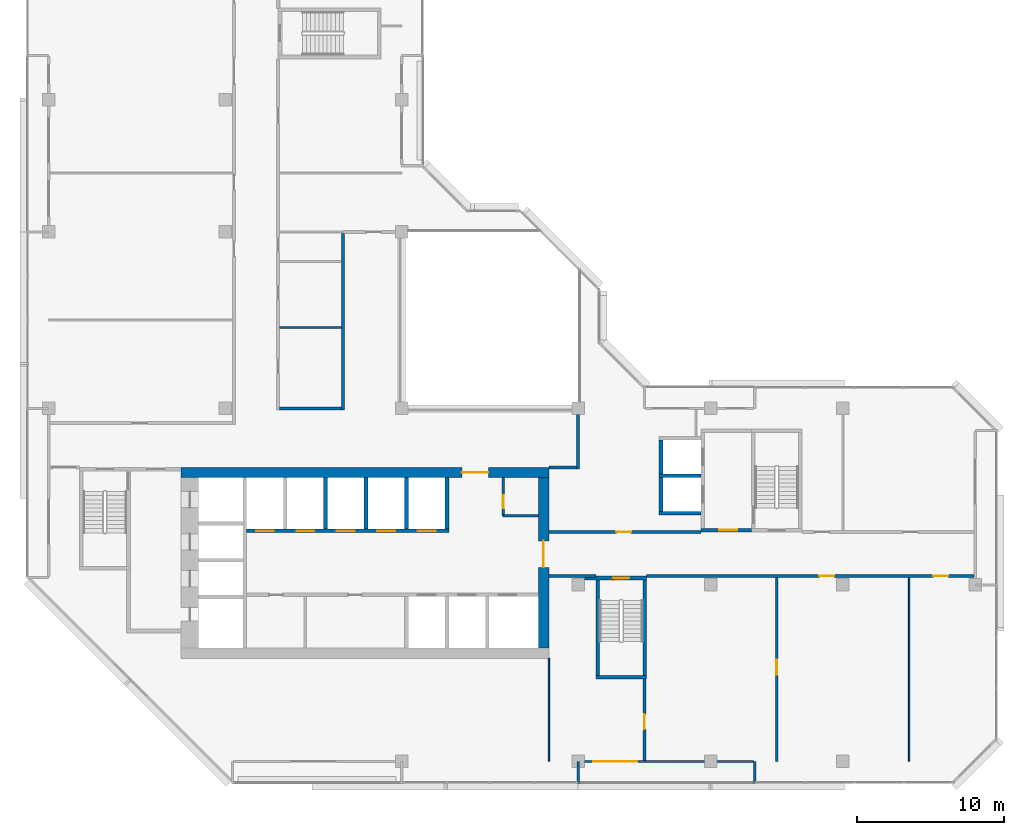
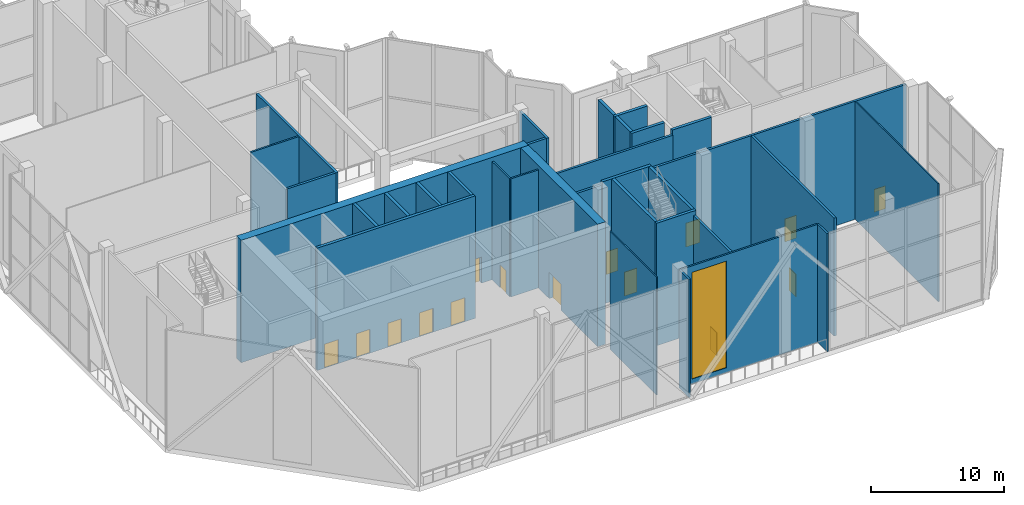
# One storey, part 11 of 18: 33 walls, 15 doors, 1 window, 16 openings.
"""IFC4 building model written with IfcOpenShell, lengths in metres."""

from ifc_helpers import new_model, si_unit, direction, frame, frame_2d, origin, place, context, subcontext, project, spatial, rectangle, extrude, material, layer, layer_set, type_object, element, fill, save


model = new_model("IFC4")

# Units and contexts
model_context = context("Model", 3, precision=1e-05, world=origin(), true_north=direction((0.0, 1.0)))
body_context = subcontext(model_context, "Body", "Model", "MODEL_VIEW")
ifc_project = project(units=[si_unit("LENGTHUNIT", "METRE"), si_unit("AREAUNIT", "SQUARE_METRE"), si_unit("VOLUMEUNIT", "CUBIC_METRE"), si_unit("PLANEANGLEUNIT", "RADIAN"), si_unit("MASSUNIT", "GRAM", prefix="KILO")], contexts=[model_context])

# Site, building, storey
site_placement = place(None, origin())
site = spatial("IfcSite", under=ifc_project, at=site_placement, CompositionType="ELEMENT")
building_placement = place(site_placement, origin())
building = spatial("IfcBuilding", under=site, at=building_placement, Name="Chenar Terraces", CompositionType="ELEMENT")
storey_placement = place(building_placement, frame((0.0, 0.0, 262.14990234375)))
storey = spatial("IfcBuildingStorey", under=building, at=storey_placement, Name="L62", CompositionType="ELEMENT", Elevation=262.14990234375)

# Wall, opening, door
ifc_material_1 = material(Name="Gypsum board on steel studs", Category="steel")
ifc_layer_1 = layer(ifc_material_1, 0.14990234375)
ifc_layer_set_1 = layer_set([ifc_layer_1], Name="Gypsum board on steel studs")
wall_type_1 = type_object("IfcWallType", Name="Core partition 150 gypsum board", PredefinedType="PARTITIONING", material=ifc_layer_set_1)
wall_1_placement = place(storey_placement, frame((30.89990234375, 16.699951171875, 0.0), z_axis=(0.0, 0.0, 1.0), x_axis=(0.0, 1.0, 0.0)))
wall_1 = element("IfcWall", 1, at=wall_1_placement, inside=storey, type_object=wall_type_1, Name="Core partition CP1 vestibule room west wall", PredefinedType="PARTITIONING", context=body_context, shape_type="SweptSolid", body=[
    extrude(rectangle(XDim=2.60009765625, YDim=0.14990234375, at=frame_2d((1.300048828125, 0.0))), origin(), (0.0, 0.0, 1.0), 10.85009765625),
])
opening_1_placement = place(wall_1_placement, frame((0.5, 0.0, 0.0)))
opening_1 = element("IfcOpeningElement", 2, at=opening_1_placement, cuts=wall_1, Name="Opening DL62-C14", PredefinedType="OPENING", context=body_context, shape_type="SweptSolid", body=[
    extrude(rectangle(XDim=0.89990234375, YDim=2.10009765625, at=frame_2d((0.449951171875, 1.050048828125))), frame((0.0, 0.0849609375, 0.0), z_axis=(0.0, -1.0, 0.0), x_axis=(1.0, 0.0, 0.0)), (0.0, 0.0, 1.0), 0.169921875),
])
ifc_material_2 = material(Name="Steel-framed fire-resisting door leaf", Category="steel")
door_type_1 = type_object("IfcDoorType", Name="Riser fire door FD60 900 x 2100", OperationType="SINGLE_SWING_LEFT", PredefinedType="DOOR", material=ifc_material_2)
door_1_placement = place(opening_1_placement, frame((0.89990234375, 0.0, 0.0), z_axis=(0.0, 0.0, 1.0), x_axis=(-1.0, 0.0, 0.0)))
door_1 = element("IfcDoor", 3, at=door_1_placement, inside=storey, type_object=door_type_1, Name="Core room door DL62-C14", OperationType="SINGLE_SWING_RIGHT", OverallHeight=2.10009765625, OverallWidth=0.89990234375, PredefinedType="DOOR", context=body_context, shape_type="SweptSolid", body=[
    extrude(rectangle(XDim=0.89990234375, YDim=2.10009765625, at=frame_2d((0.449951171875, 1.050048828125))), frame((0.0, 0.02490234375, 0.0), z_axis=(0.0, -1.0, 0.0), x_axis=(1.0, 0.0, 0.0)), (0.0, 0.0, 1.0), 0.050048828125),
])
fill(opening_1, door_1)

# Wall
wall_2_placement = place(storey_placement, frame((30.89990234375, 16.699951171875, 0.0), z_axis=(0.0, 0.0, 1.0), x_axis=(1.0, 0.0, 0.0)))
element("IfcWall", 4, at=wall_2_placement, inside=storey, type_object=wall_type_1, Name="Core partition CP1 vestibule room south wall", PredefinedType="PARTITIONING", context=body_context, shape_type="SweptSolid", body=[
    extrude(rectangle(XDim=2.400146484375, YDim=0.14990234375, at=frame_2d((1.2001953125, 0.0))), origin(), (0.0, 0.0, 1.0), 10.85009765625),
])

# Wall, openings, doors
ifc_material_3 = material(Name="Concrete C60/75", Category="concrete")
ifc_layer_2 = layer(ifc_material_3, 0.25)
ifc_layer_set_2 = layer_set([ifc_layer_2], Name="Concrete C60/75")
wall_type_2 = type_object("IfcWallType", Name="Core wall 250 Concrete C60/75", PredefinedType="SHEAR", material=ifc_layer_set_2)
wall_3_placement = place(storey_placement, frame((13.449951171875, 15.675048828125, 0.0), z_axis=(0.0, 0.0, 1.0), x_axis=(1.0, 0.0, 0.0)))
wall_3 = element("IfcWall", 5, at=wall_3_placement, inside=storey, type_object=wall_type_2, Name="Core wall NF L62", PredefinedType="SHEAR", context=body_context, shape_type="SweptSolid", body=[
    extrude(rectangle(XDim=13.75, YDim=0.25, at=frame_2d((6.875, 0.0))), origin(), (0.0, 0.0, 1.0), 11.25),
])
opening_2_placement = place(wall_3_placement, frame((11.64990234375, 0.0, 0.0)))
opening_2 = element("IfcOpeningElement", 6, at=opening_2_placement, cuts=wall_3, Name="Opening DL62-LD4", PredefinedType="OPENING", context=body_context, shape_type="SweptSolid", body=[
    extrude(rectangle(XDim=1.199951171875, YDim=2.199951171875, at=frame_2d((0.60009765625, 1.10009765625))), frame((0.0, 0.135009765625, 0.0), z_axis=(0.0, -1.0, 0.0), x_axis=(1.0, 0.0, 0.0)), (0.0, 0.0, 1.0), 0.27001953125),
])
opening_3_placement = place(wall_3_placement, frame((0.64990234375, 0.0, 0.0)))
opening_3 = element("IfcOpeningElement", 7, at=opening_3_placement, cuts=wall_3, Name="Opening DL62-LD5", PredefinedType="OPENING", context=body_context, shape_type="SweptSolid", body=[
    extrude(rectangle(XDim=1.199951171875, YDim=2.199951171875, at=frame_2d((0.60009765625, 1.10009765625))), frame((0.0, 0.135009765625, 0.0), z_axis=(0.0, -1.0, 0.0), x_axis=(1.0, 0.0, 0.0)), (0.0, 0.0, 1.0), 0.27001953125),
])
opening_4_placement = place(wall_3_placement, frame((3.39990234375, 0.0, 0.0)))
opening_4 = element("IfcOpeningElement", 8, at=opening_4_placement, cuts=wall_3, Name="Opening DL62-LD6", PredefinedType="OPENING", context=body_context, shape_type="SweptSolid", body=[
    extrude(rectangle(XDim=1.199951171875, YDim=2.199951171875, at=frame_2d((0.60009765625, 1.10009765625))), frame((0.0, 0.135009765625, 0.0), z_axis=(0.0, -1.0, 0.0), x_axis=(1.0, 0.0, 0.0)), (0.0, 0.0, 1.0), 0.27001953125),
])
opening_5_placement = place(wall_3_placement, frame((6.14990234375, 0.0, 0.0)))
opening_5 = element("IfcOpeningElement", 9, at=opening_5_placement, cuts=wall_3, Name="Opening DL62-LD7", PredefinedType="OPENING", context=body_context, shape_type="SweptSolid", body=[
    extrude(rectangle(XDim=1.199951171875, YDim=2.199951171875, at=frame_2d((0.60009765625, 1.10009765625))), frame((0.0, 0.135009765625, 0.0), z_axis=(0.0, -1.0, 0.0), x_axis=(1.0, 0.0, 0.0)), (0.0, 0.0, 1.0), 0.27001953125),
])
opening_6_placement = place(wall_3_placement, frame((8.89990234375, 0.0, 0.0)))
opening_6 = element("IfcOpeningElement", 10, at=opening_6_placement, cuts=wall_3, Name="Opening DL62-LD8", PredefinedType="OPENING", context=body_context, shape_type="SweptSolid", body=[
    extrude(rectangle(XDim=1.199951171875, YDim=2.199951171875, at=frame_2d((0.60009765625, 1.10009765625))), frame((0.0, 0.135009765625, 0.0), z_axis=(0.0, -1.0, 0.0), x_axis=(1.0, 0.0, 0.0)), (0.0, 0.0, 1.0), 0.27001953125),
])
ifc_material_4 = material(Name="Stainless steel", Category="steel")
door_type_2 = type_object("IfcDoorType", Name="Lift landing door 1200 x 2200 sliding", OperationType="DOUBLE_DOOR_SLIDING", PredefinedType="DOOR", material=ifc_material_4)
door_2_placement = place(opening_2_placement, origin())
door_2 = element("IfcDoor", 11, at=door_2_placement, inside=storey, type_object=door_type_2, Name="Landing door M4", OperationType="DOUBLE_DOOR_SLIDING", OverallHeight=2.199951171875, OverallWidth=1.199951171875, PredefinedType="DOOR", context=body_context, shape_type="SweptSolid", body=[
    extrude(rectangle(XDim=1.199951171875, YDim=2.199951171875, at=frame_2d((0.60009765625, 1.10009765625))), frame((0.0, 0.02490234375, 0.0), z_axis=(0.0, -1.0, 0.0), x_axis=(1.0, 0.0, 0.0)), (0.0, 0.0, 1.0), 0.050048828125),
])
fill(opening_2, door_2)
door_3_placement = place(opening_3_placement, origin())
door_3 = element("IfcDoor", 12, at=door_3_placement, inside=storey, type_object=door_type_2, Name="Landing door H1", OperationType="DOUBLE_DOOR_SLIDING", OverallHeight=2.199951171875, OverallWidth=1.199951171875, PredefinedType="DOOR", context=body_context, shape_type="SweptSolid", body=[
    extrude(rectangle(XDim=1.199951171875, YDim=2.199951171875, at=frame_2d((0.60009765625, 1.10009765625))), frame((0.0, 0.02490234375, 0.0), z_axis=(0.0, -1.0, 0.0), x_axis=(1.0, 0.0, 0.0)), (0.0, 0.0, 1.0), 0.050048828125),
])
fill(opening_3, door_3)
door_4_placement = place(opening_4_placement, origin())
door_4 = element("IfcDoor", 13, at=door_4_placement, inside=storey, type_object=door_type_2, Name="Landing door H2", OperationType="DOUBLE_DOOR_SLIDING", OverallHeight=2.199951171875, OverallWidth=1.199951171875, PredefinedType="DOOR", context=body_context, shape_type="SweptSolid", body=[
    extrude(rectangle(XDim=1.199951171875, YDim=2.199951171875, at=frame_2d((0.60009765625, 1.10009765625))), frame((0.0, 0.02490234375, 0.0), z_axis=(0.0, -1.0, 0.0), x_axis=(1.0, 0.0, 0.0)), (0.0, 0.0, 1.0), 0.050048828125),
])
fill(opening_4, door_4)
door_5_placement = place(opening_5_placement, origin())
door_5 = element("IfcDoor", 14, at=door_5_placement, inside=storey, type_object=door_type_2, Name="Landing door H3", OperationType="DOUBLE_DOOR_SLIDING", OverallHeight=2.199951171875, OverallWidth=1.199951171875, PredefinedType="DOOR", context=body_context, shape_type="SweptSolid", body=[
    extrude(rectangle(XDim=1.199951171875, YDim=2.199951171875, at=frame_2d((0.60009765625, 1.10009765625))), frame((0.0, 0.02490234375, 0.0), z_axis=(0.0, -1.0, 0.0), x_axis=(1.0, 0.0, 0.0)), (0.0, 0.0, 1.0), 0.050048828125),
])
fill(opening_5, door_5)
door_6_placement = place(opening_6_placement, origin())
door_6 = element("IfcDoor", 15, at=door_6_placement, inside=storey, type_object=door_type_2, Name="Landing door H4", OperationType="DOUBLE_DOOR_SLIDING", OverallHeight=2.199951171875, OverallWidth=1.199951171875, PredefinedType="DOOR", context=body_context, shape_type="SweptSolid", body=[
    extrude(rectangle(XDim=1.199951171875, YDim=2.199951171875, at=frame_2d((0.60009765625, 1.10009765625))), frame((0.0, 0.02490234375, 0.0), z_axis=(0.0, -1.0, 0.0), x_axis=(1.0, 0.0, 0.0)), (0.0, 0.0, 1.0), 0.050048828125),
])
fill(opening_6, door_6)

# Walls
for number, where, z_axis, x_axis, name in (
    (16, (18.824951171875, 15.800048828125, 0.0), (0.0, 0.0, 1.0), (0.0, 1.0, 0.0), "Core wall NS1 L62"),
    (17, (21.574951171875, 15.800048828125, 0.0), (0.0, 0.0, 1.0), (0.0, 1.0, 0.0), "Core wall NS2 L62"),
    (18, (24.324951171875, 15.800048828125, 0.0), (0.0, 0.0, 1.0), (0.0, 1.0, 0.0), "Core wall NS3 L62"),
    (19, (27.074951171875, 15.800048828125, 0.0), (0.0, 0.0, 1.0), (0.0, 1.0, 0.0), "Core wall NE L62"),
):
    element("IfcWall", number, at=place(storey_placement, frame(where, z_axis=z_axis, x_axis=x_axis)), inside=storey, type_object=wall_type_2, Name=name, PredefinedType="SHEAR", context=body_context, shape_type="SweptSolid", body=[
        extrude(rectangle(XDim=3.5, YDim=0.25, at=frame_2d((1.75, 0.0))), origin(), (0.0, 0.0, 1.0), 11.25),
    ])
wall_4_placement = place(storey_placement, frame((37.199951171875, 5.72509765625, 0.0), z_axis=(0.0, 0.0, 1.0), x_axis=(1.0, 0.0, 0.0)))
element("IfcWall", 20, at=wall_4_placement, inside=storey, type_object=wall_type_2, Name="Core wall ST2_S L62", PredefinedType="SHEAR", context=body_context, shape_type="SweptSolid", body=[
    extrude(rectangle(XDim=3.449951171875, YDim=0.25, at=frame_2d((1.72509765625, 0.0))), origin(), (0.0, 0.0, 1.0), 11.25),
])

# Wall, opening, door
wall_5_placement = place(storey_placement, frame((36.425048828125, 12.47509765625, 0.0), z_axis=(0.0, 0.0, 1.0), x_axis=(1.0, 0.0, 0.0)))
wall_5 = element("IfcWall", 21, at=wall_5_placement, inside=storey, type_object=wall_type_2, Name="Core wall ST2_N L62", PredefinedType="SHEAR", context=body_context, shape_type="SweptSolid", body=[
    extrude(rectangle(XDim=4.224853515625, YDim=0.25, at=frame_2d((2.1123046875, 0.0))), origin(), (0.0, 0.0, 1.0), 11.25),
])
opening_7_placement = place(wall_5_placement, frame((1.949951171875, 0.0, 0.0)))
opening_7 = element("IfcOpeningElement", 22, at=opening_7_placement, cuts=wall_5, Name="Opening DL62-C7", PredefinedType="OPENING", context=body_context, shape_type="SweptSolid", body=[
    extrude(rectangle(XDim=1.10009765625, YDim=2.199951171875, at=frame_2d((0.550048828125, 1.10009765625))), frame((0.0, 0.135009765625, 0.0), z_axis=(0.0, -1.0, 0.0), x_axis=(1.0, 0.0, 0.0)), (0.0, 0.0, 1.0), 0.27001953125),
])
ifc_material_5 = material(Name="Steel-framed fire-resisting door leaf", Category="steel")
door_type_3 = type_object("IfcDoorType", Name="Stair fire door FD60 1100 x 2200", OperationType="SINGLE_SWING_LEFT", PredefinedType="DOOR", material=ifc_material_5)
door_7_placement = place(opening_7_placement, frame((1.10009765625, 0.0, 0.0), z_axis=(0.0, 0.0, 1.0), x_axis=(-1.0, 0.0, 0.0)))
door_7 = element("IfcDoor", 23, at=door_7_placement, inside=storey, type_object=door_type_3, Name="Stair door DL62-C7", OperationType="SINGLE_SWING_LEFT", OverallHeight=2.199951171875, OverallWidth=1.10009765625, PredefinedType="DOOR", context=body_context, shape_type="SweptSolid", body=[
    extrude(rectangle(XDim=1.10009765625, YDim=2.199951171875, at=frame_2d((0.550048828125, 1.10009765625))), frame((0.0, 0.02490234375, 0.0), z_axis=(0.0, -1.0, 0.0), x_axis=(1.0, 0.0, 0.0)), (0.0, 0.0, 1.0), 0.050048828125),
])
fill(opening_7, door_7)

# Walls
for number, where, z_axis, x_axis, name in (
    (24, (37.324951171875, 5.85009765625, 0.0), (0.0, 0.0, 1.0), (0.0, 1.0, 0.0), "Core wall ST2_W L62"),
    (25, (40.52490234375, 5.85009765625, 0.0), (0.0, 0.0, 1.0), (0.0, 1.0, 0.0), "Core wall ST2_E L62"),
):
    element("IfcWall", number, at=place(storey_placement, frame(where, z_axis=z_axis, x_axis=x_axis)), inside=storey, type_object=wall_type_2, Name=name, PredefinedType="SHEAR", context=body_context, shape_type="SweptSolid", body=[
        extrude(rectangle(XDim=6.5, YDim=0.25, at=frame_2d((3.25, 0.0))), origin(), (0.0, 0.0, 1.0), 11.25),
    ])

# Wall, opening, door
wall_6_placement = place(storey_placement, frame((44.35009765625, 15.72509765625, 0.0), z_axis=(0.0, 0.0, 1.0), x_axis=(1.0, 0.0, 0.0)))
wall_6 = element("IfcWall", 26, at=wall_6_placement, inside=storey, type_object=wall_type_2, Name="Core wall F3_LS L62", PredefinedType="SHEAR", context=body_context, shape_type="SweptSolid", body=[
    extrude(rectangle(XDim=3.4248046875, YDim=0.25, at=frame_2d((1.71240234375, 0.0))), origin(), (0.0, 0.0, 1.0), 11.25),
])
opening_8_placement = place(wall_6_placement, frame((1.25, 0.0, 0.0)))
opening_8 = element("IfcOpeningElement", 27, at=opening_8_placement, cuts=wall_6, Name="Opening DL62-C10", PredefinedType="OPENING", context=body_context, shape_type="SweptSolid", body=[
    extrude(rectangle(XDim=1.199951171875, YDim=2.199951171875, at=frame_2d((0.60009765625, 1.10009765625))), frame((0.0, 0.135009765625, 0.0), z_axis=(0.0, -1.0, 0.0), x_axis=(1.0, 0.0, 0.0)), (0.0, 0.0, 1.0), 0.27001953125),
])
ifc_material_6 = material(Name="Steel-framed fire-resisting door leaf", Category="steel")
door_type_4 = type_object("IfcDoorType", Name="Lobby fire door FD60 1200 x 2200", OperationType="SINGLE_SWING_LEFT", PredefinedType="DOOR", material=ifc_material_6)
door_8_placement = place(opening_8_placement, origin())
door_8 = element("IfcDoor", 28, at=door_8_placement, inside=storey, type_object=door_type_4, Name="Core door DL62-C10", OperationType="SINGLE_SWING_RIGHT", OverallHeight=2.199951171875, OverallWidth=1.199951171875, PredefinedType="DOOR", context=body_context, shape_type="SweptSolid", body=[
    extrude(rectangle(XDim=1.199951171875, YDim=2.199951171875, at=frame_2d((0.60009765625, 1.10009765625))), frame((0.0, 0.02490234375, 0.0), z_axis=(0.0, -1.0, 0.0), x_axis=(1.0, 0.0, 0.0)), (0.0, 0.0, 1.0), 0.050048828125),
])
fill(opening_8, door_8)

# Walls
for number, where, z_axis, x_axis, name in (
    (29, (41.5, 16.875, 0.0), (0.0, 0.0, 1.0), (1.0, 0.0, 0.0), "Core wall F3_SS L62"),
    (30, (41.5, 19.425048828125, 0.0), (0.0, 0.0, 1.0), (1.0, 0.0, 0.0), "Core wall F3_SM L62"),
):
    element("IfcWall", number, at=place(storey_placement, frame(where, z_axis=z_axis, x_axis=x_axis)), inside=storey, type_object=wall_type_2, Name=name, PredefinedType="SHEAR", context=body_context, shape_type="SweptSolid", body=[
        extrude(rectangle(XDim=2.85009765625, YDim=0.25, at=frame_2d((1.425048828125, 0.0))), origin(), (0.0, 0.0, 1.0), 11.25),
    ])
for number, where, z_axis, x_axis, name in (
    (31, (41.625, 17.0, 0.0), (0.0, 0.0, 1.0), (0.0, 1.0, 0.0), "Core wall F3_SW L62"),
    (32, (41.625, 19.550048828125, 0.0), (0.0, 0.0, 1.0), (0.0, 1.0, 0.0), "Core wall F4_SW L62"),
):
    element("IfcWall", number, at=place(storey_placement, frame(where, z_axis=z_axis, x_axis=x_axis)), inside=storey, type_object=wall_type_2, Name=name, PredefinedType="SHEAR", context=body_context, shape_type="SweptSolid", body=[
        extrude(rectangle(XDim=2.300048828125, YDim=0.25, at=frame_2d((1.14990234375, 0.0))), origin(), (0.0, 0.0, 1.0), 11.25),
    ])

# Wall, opening, door
ifc_material_7 = material(Name="Concrete C60/75", Category="concrete")
ifc_layer_3 = layer(ifc_material_7, 0.699951171875)
ifc_layer_set_3 = layer_set([ifc_layer_3], Name="Concrete C60/75")
wall_type_3 = type_object("IfcWallType", Name="Core wall 700 Concrete C60/75", PredefinedType="SHEAR", material=ifc_layer_set_3)
wall_7_placement = place(storey_placement, frame((9.0, 19.64990234375, 0.0), z_axis=(0.0, 0.0, 1.0), x_axis=(1.0, 0.0, 0.0)))
wall_7 = element("IfcWall", 33, at=wall_7_placement, inside=storey, type_object=wall_type_3, Name="Core wall N L62", PredefinedType="SHEAR", context=body_context, shape_type="SweptSolid", body=[
    extrude(rectangle(XDim=25.0, YDim=0.699951171875, at=frame_2d((12.5, 0.0))), origin(), (0.0, 0.0, 1.0), 11.25),
])
opening_9_placement = place(wall_7_placement, frame((19.10009765625, 0.0, 0.0)))
opening_9 = element("IfcOpeningElement", 34, at=opening_9_placement, cuts=wall_7, Name="Opening DL62-C2", PredefinedType="OPENING", context=body_context, shape_type="SweptSolid", body=[
    extrude(rectangle(XDim=1.800048828125, YDim=2.39990234375, at=frame_2d((0.89990234375, 1.199951171875))), frame((0.0, 0.35986328125, 0.0), z_axis=(0.0, -1.0, 0.0), x_axis=(1.0, 0.0, 0.0)), (0.0, 0.0, 1.0), 0.719970703125),
])
ifc_material_8 = material(Name="Steel-framed fire-resisting door leaf", Category="steel")
door_type_5 = type_object("IfcDoorType", Name="Core entrance double fire door FD60 1800 x 2400", OperationType="DOUBLE_DOOR_SINGLE_SWING", PredefinedType="DOOR", material=ifc_material_8)
door_9_placement = place(opening_9_placement, frame((1.800048828125, 0.0, 0.0), z_axis=(0.0, 0.0, 1.0), x_axis=(-1.0, 0.0, 0.0)))
door_9 = element("IfcDoor", 35, at=door_9_placement, inside=storey, type_object=door_type_5, Name="Core door DL62-C2", OperationType="DOUBLE_DOOR_SINGLE_SWING", OverallHeight=2.39990234375, OverallWidth=1.800048828125, PredefinedType="DOOR", context=body_context, shape_type="SweptSolid", body=[
    extrude(rectangle(XDim=1.800048828125, YDim=2.39990234375, at=frame_2d((0.89990234375, 1.199951171875))), frame((0.0, 0.02490234375, 0.0), z_axis=(0.0, -1.0, 0.0), x_axis=(1.0, 0.0, 0.0)), (0.0, 0.0, 1.0), 0.050048828125),
])
fill(opening_9, door_9)

wall_8_placement = place(storey_placement, frame((33.64990234375, 7.699951171875, 0.0), z_axis=(0.0, 0.0, 1.0), x_axis=(0.0, 1.0, 0.0)))
wall_8 = element("IfcWall", 36, at=wall_8_placement, inside=storey, type_object=wall_type_3, Name="Core wall E L62", PredefinedType="SHEAR", context=body_context, shape_type="SweptSolid", body=[
    extrude(rectangle(XDim=11.60009765625, YDim=0.699951171875, at=frame_2d((5.800048828125, 0.0))), origin(), (0.0, 0.0, 1.0), 11.25),
])
opening_10_placement = place(wall_8_placement, frame((5.5, 0.0, 0.0)))
opening_10 = element("IfcOpeningElement", 37, at=opening_10_placement, cuts=wall_8, Name="Opening DL62-C1", PredefinedType="OPENING", context=body_context, shape_type="SweptSolid", body=[
    extrude(rectangle(XDim=1.800048828125, YDim=2.39990234375, at=frame_2d((0.89990234375, 1.199951171875))), frame((0.0, 0.35986328125, 0.0), z_axis=(0.0, -1.0, 0.0), x_axis=(1.0, 0.0, 0.0)), (0.0, 0.0, 1.0), 0.719970703125),
])
door_10_placement = place(opening_10_placement, origin())
door_10 = element("IfcDoor", 38, at=door_10_placement, inside=storey, type_object=door_type_5, Name="Core door DL62-C1", OperationType="DOUBLE_DOOR_SINGLE_SWING", OverallHeight=2.39990234375, OverallWidth=1.800048828125, PredefinedType="DOOR", context=body_context, shape_type="SweptSolid", body=[
    extrude(rectangle(XDim=1.800048828125, YDim=2.39990234375, at=frame_2d((0.89990234375, 1.199951171875))), frame((0.0, 0.02490234375, 0.0), z_axis=(0.0, -1.0, 0.0), x_axis=(1.0, 0.0, 0.0)), (0.0, 0.0, 1.0), 0.050048828125),
])
fill(opening_10, door_10)

# Walls
ifc_material_9 = material(Name="Gypsum board on steel studs with fire boards", Category="steel")
ifc_layer_4 = layer(ifc_material_9, 0.199951171875)
ifc_layer_set_4 = layer_set([ifc_layer_4], Name="Gypsum board on steel studs with fire boards")
wall_type_4 = type_object("IfcWallType", Name="Corridor wall 200", PredefinedType="PARTITIONING", material=ifc_layer_set_4)
wall_9_placement = place(storey_placement, frame((15.699951171875, 24.0, 0.0), z_axis=(0.0, 0.0, 1.0), x_axis=(1.0, 0.0, 0.0)))
element("IfcWall", 39, at=wall_9_placement, inside=storey, type_object=wall_type_4, Name="Partition L62-008", PredefinedType="PARTITIONING", context=body_context, shape_type="SweptSolid", body=[
    extrude(rectangle(XDim=4.199951171875, YDim=0.199951171875, at=frame_2d((2.10009765625, 0.0))), origin(), (0.0, 0.0, 1.0), 10.85009765625),
])
wall_10_placement = place(storey_placement, frame((20.0, 23.89990234375, 0.0), z_axis=(0.0, 0.0, 1.0), x_axis=(0.0, 1.0, 0.0)))
element("IfcWall", 40, at=wall_10_placement, inside=storey, type_object=wall_type_4, Name="Partition L62-013", PredefinedType="PARTITIONING", context=body_context, shape_type="SweptSolid", body=[
    extrude(rectangle(XDim=12.0, YDim=0.199951171875, at=frame_2d((6.0, 0.0))), origin(), (0.0, 0.0, 1.0), 10.85009765625),
])
wall_11_placement = place(storey_placement, frame((34.0, 12.60009765625, 0.0), z_axis=(0.0, 0.0, 1.0), x_axis=(1.0, 0.0, 0.0)))
element("IfcWall", 41, at=wall_11_placement, inside=storey, type_object=wall_type_4, Name="Partition L62-017", PredefinedType="PARTITIONING", context=body_context, shape_type="SweptSolid", body=[
    extrude(rectangle(XDim=3.199951171875, YDim=0.199951171875, at=frame_2d((1.60009765625, 0.0))), origin(), (0.0, 0.0, 1.0), 10.85009765625),
])

# Wall, opening, door
wall_12_placement = place(storey_placement, frame((34.0, 15.60009765625, 0.0), z_axis=(0.0, 0.0, 1.0), x_axis=(1.0, 0.0, 0.0)))
wall_12 = element("IfcWall", 42, at=wall_12_placement, inside=storey, type_object=wall_type_4, Name="Partition L62-018", PredefinedType="PARTITIONING", context=body_context, shape_type="SweptSolid", body=[
    extrude(rectangle(XDim=10.35009765625, YDim=0.199951171875, at=frame_2d((5.175048828125, 0.0))), origin(), (0.0, 0.0, 1.0), 10.85009765625),
])
opening_11_placement = place(wall_12_placement, frame((4.60009765625, 0.0, 0.0)))
opening_11 = element("IfcOpeningElement", 43, at=opening_11_placement, cuts=wall_12, Name="Opening DL62-1", PredefinedType="OPENING", context=body_context, shape_type="SweptSolid", body=[
    extrude(rectangle(XDim=1.0, YDim=2.10009765625, at=frame_2d((0.5, 1.050048828125))), frame((0.0, 0.10986328125, 0.0), z_axis=(0.0, -1.0, 0.0), x_axis=(1.0, 0.0, 0.0)), (0.0, 0.0, 1.0), 0.219970703125),
])
ifc_material_10 = material(Name="Steel-framed fire-resisting door leaf", Category="steel")
door_type_6 = type_object("IfcDoorType", Name="Fire door FD60 1000 x 2100", OperationType="SINGLE_SWING_LEFT", PredefinedType="DOOR", material=ifc_material_10)
door_11_placement = place(opening_11_placement, origin())
door_11 = element("IfcDoor", 44, at=door_11_placement, inside=storey, type_object=door_type_6, Name="Door DL62-1", OperationType="SINGLE_SWING_RIGHT", OverallHeight=2.10009765625, OverallWidth=1.0, PredefinedType="DOOR", context=body_context, shape_type="SweptSolid", body=[
    extrude(rectangle(XDim=1.0, YDim=2.10009765625, at=frame_2d((0.5, 1.050048828125))), frame((0.0, 0.02490234375, 0.0), z_axis=(0.0, -1.0, 0.0), x_axis=(1.0, 0.0, 0.0)), (0.0, 0.0, 1.0), 0.050048828125),
])
fill(opening_11, door_11)

# Walls
wall_13_placement = place(storey_placement, frame((34.0, 20.0, 0.0), z_axis=(0.0, 0.0, 1.0), x_axis=(1.0, 0.0, 0.0)))
element("IfcWall", 45, at=wall_13_placement, inside=storey, type_object=wall_type_4, Name="Partition L62-019", PredefinedType="PARTITIONING", context=body_context, shape_type="SweptSolid", body=[
    extrude(rectangle(XDim=1.89990234375, YDim=0.199951171875, at=frame_2d((0.949951171875, 0.0))), origin(), (0.0, 0.0, 1.0), 10.85009765625),
])
wall_14_placement = place(storey_placement, frame((36.0, 19.89990234375, 0.0), z_axis=(0.0, 0.0, 1.0), x_axis=(0.0, 1.0, 0.0)))
element("IfcWall", 46, at=wall_14_placement, inside=storey, type_object=wall_type_4, Name="Partition L62-020", PredefinedType="PARTITIONING", context=body_context, shape_type="SweptSolid", body=[
    extrude(rectangle(XDim=4.10009765625, YDim=0.199951171875, at=frame_2d((2.050048828125, 0.0))), origin(), (0.0, 0.0, 1.0), 10.85009765625),
])

# Wall, opening, door
wall_15_placement = place(storey_placement, frame((40.5, 0.073974609375, 0.0), z_axis=(0.0, 0.0, 1.0), x_axis=(0.0, 1.0, 0.0)))
wall_15 = element("IfcWall", 47, at=wall_15_placement, inside=storey, type_object=wall_type_4, Name="Partition L62-021", PredefinedType="PARTITIONING", context=body_context, shape_type="SweptSolid", body=[
    extrude(rectangle(XDim=5.526123046875, YDim=0.199951171875, at=frame_2d((2.76318359375, 0.0))), origin(), (0.0, 0.0, 1.0), 10.85009765625),
])
opening_12_placement = place(wall_15_placement, frame((2.1259765625, 0.0, 0.0)))
opening_12 = element("IfcOpeningElement", 48, at=opening_12_placement, cuts=wall_15, Name="Opening DL62-4", PredefinedType="OPENING", context=body_context, shape_type="SweptSolid", body=[
    extrude(rectangle(XDim=1.0, YDim=2.10009765625, at=frame_2d((0.5, 1.050048828125))), frame((0.0, 0.10986328125, 0.0), z_axis=(0.0, -1.0, 0.0), x_axis=(1.0, 0.0, 0.0)), (0.0, 0.0, 1.0), 0.219970703125),
])
door_12_placement = place(opening_12_placement, origin())
door_12 = element("IfcDoor", 49, at=door_12_placement, inside=storey, type_object=door_type_6, Name="Door DL62-4", OperationType="SINGLE_SWING_LEFT", OverallHeight=2.10009765625, OverallWidth=1.0, PredefinedType="DOOR", context=body_context, shape_type="SweptSolid", body=[
    extrude(rectangle(XDim=1.0, YDim=2.10009765625, at=frame_2d((0.5, 1.050048828125))), frame((0.0, 0.02490234375, 0.0), z_axis=(0.0, -1.0, 0.0), x_axis=(1.0, 0.0, 0.0)), (0.0, 0.0, 1.0), 0.050048828125),
])
fill(opening_12, door_12)

# Wall, openings, doors
wall_16_placement = place(storey_placement, frame((40.64990234375, 12.60009765625, 0.0), z_axis=(0.0, 0.0, 1.0), x_axis=(1.0, 0.0, 0.0)))
wall_16 = element("IfcWall", 50, at=wall_16_placement, inside=storey, type_object=wall_type_4, Name="Partition L62-022", PredefinedType="PARTITIONING", context=body_context, shape_type="SweptSolid", body=[
    extrude(rectangle(XDim=22.276123046875, YDim=0.199951171875, at=frame_2d((11.13818359375, 0.0))), origin(), (0.0, 0.0, 1.0), 10.85009765625),
])
opening_13_placement = place(wall_16_placement, frame((11.75, 0.0, 0.0)))
opening_13 = element("IfcOpeningElement", 51, at=opening_13_placement, cuts=wall_16, Name="Opening DL62-6", PredefinedType="OPENING", context=body_context, shape_type="SweptSolid", body=[
    extrude(rectangle(XDim=1.0, YDim=2.10009765625, at=frame_2d((0.5, 1.050048828125))), frame((0.0, 0.10986328125, 0.0), z_axis=(0.0, -1.0, 0.0), x_axis=(1.0, 0.0, 0.0)), (0.0, 0.0, 1.0), 0.219970703125),
])
opening_14_placement = place(wall_16_placement, frame((19.5, 0.0, 0.0)))
opening_14 = element("IfcOpeningElement", 52, at=opening_14_placement, cuts=wall_16, Name="Opening DL62-7", PredefinedType="OPENING", context=body_context, shape_type="SweptSolid", body=[
    extrude(rectangle(XDim=1.0, YDim=2.10009765625, at=frame_2d((0.5, 1.050048828125))), frame((0.0, 0.10986328125, 0.0), z_axis=(0.0, -1.0, 0.0), x_axis=(1.0, 0.0, 0.0)), (0.0, 0.0, 1.0), 0.219970703125),
])
door_13_placement = place(opening_13_placement, frame((1.0, 0.0, 0.0), z_axis=(0.0, 0.0, 1.0), x_axis=(-1.0, 0.0, 0.0)))
door_13 = element("IfcDoor", 53, at=door_13_placement, inside=storey, type_object=door_type_6, Name="Door DL62-6", OperationType="SINGLE_SWING_LEFT", OverallHeight=2.10009765625, OverallWidth=1.0, PredefinedType="DOOR", context=body_context, shape_type="SweptSolid", body=[
    extrude(rectangle(XDim=1.0, YDim=2.10009765625, at=frame_2d((0.5, 1.050048828125))), frame((0.0, 0.02490234375, 0.0), z_axis=(0.0, -1.0, 0.0), x_axis=(1.0, 0.0, 0.0)), (0.0, 0.0, 1.0), 0.050048828125),
])
fill(opening_13, door_13)
door_14_placement = place(opening_14_placement, frame((1.0, 0.0, 0.0), z_axis=(0.0, 0.0, 1.0), x_axis=(-1.0, 0.0, 0.0)))
door_14 = element("IfcDoor", 54, at=door_14_placement, inside=storey, type_object=door_type_6, Name="Door DL62-7", OperationType="SINGLE_SWING_RIGHT", OverallHeight=2.10009765625, OverallWidth=1.0, PredefinedType="DOOR", context=body_context, shape_type="SweptSolid", body=[
    extrude(rectangle(XDim=1.0, YDim=2.10009765625, at=frame_2d((0.5, 1.050048828125))), frame((0.0, 0.02490234375, 0.0), z_axis=(0.0, -1.0, 0.0), x_axis=(1.0, 0.0, 0.0)), (0.0, 0.0, 1.0), 0.050048828125),
])
fill(opening_14, door_14)

# Wall, opening, door
wall_17_placement = place(storey_placement, frame((49.5, 0.0, 0.0), z_axis=(0.0, 0.0, 1.0), x_axis=(0.0, 1.0, 0.0)))
wall_17 = element("IfcWall", 55, at=wall_17_placement, inside=storey, type_object=wall_type_4, Name="Partition L62-024", PredefinedType="PARTITIONING", context=body_context, shape_type="SweptSolid", body=[
    extrude(rectangle(XDim=12.5, YDim=0.199951171875, at=frame_2d((6.25, 0.0))), origin(), (0.0, 0.0, 1.0), 10.85009765625),
])
opening_15_placement = place(wall_17_placement, frame((5.89990234375, 0.0, 0.0)))
opening_15 = element("IfcOpeningElement", 56, at=opening_15_placement, cuts=wall_17, Name="Opening DL62-5", PredefinedType="OPENING", context=body_context, shape_type="SweptSolid", body=[
    extrude(rectangle(XDim=1.0, YDim=2.10009765625, at=frame_2d((0.5, 1.050048828125))), frame((0.0, 0.10986328125, 0.0), z_axis=(0.0, -1.0, 0.0), x_axis=(1.0, 0.0, 0.0)), (0.0, 0.0, 1.0), 0.219970703125),
])
door_15_placement = place(opening_15_placement, frame((1.0, 0.0, 0.0), z_axis=(0.0, 0.0, 1.0), x_axis=(-1.0, 0.0, 0.0)))
door_15 = element("IfcDoor", 57, at=door_15_placement, inside=storey, type_object=door_type_6, Name="Door DL62-5", OperationType="SINGLE_SWING_RIGHT", OverallHeight=2.10009765625, OverallWidth=1.0, PredefinedType="DOOR", context=body_context, shape_type="SweptSolid", body=[
    extrude(rectangle(XDim=1.0, YDim=2.10009765625, at=frame_2d((0.5, 1.050048828125))), frame((0.0, 0.02490234375, 0.0), z_axis=(0.0, -1.0, 0.0), x_axis=(1.0, 0.0, 0.0)), (0.0, 0.0, 1.0), 0.050048828125),
])
fill(opening_15, door_15)

# Wall, opening, window
ifc_material_11 = material(Name="Aluminium framed glazing", Category="aluminium")
ifc_layer_5 = layer(ifc_material_11, 0.14990234375)
ifc_layer_set_5 = layer_set([ifc_layer_5], Name="Aluminium framed glazing")
wall_type_5 = type_object("IfcWallType", Name="Glazed loggia back wall 150", PredefinedType="SOLIDWALL", material=ifc_layer_set_5)
wall_18_placement = place(storey_placement, frame((36.074951171875, 0.0, 0.0), z_axis=(0.0, 0.0, 1.0), x_axis=(1.0, 0.0, 0.0)))
wall_18 = element("IfcWall", 58, at=wall_18_placement, inside=storey, type_object=wall_type_5, Name="Glazed loggia back wall", PredefinedType="SOLIDWALL", context=body_context, shape_type="SweptSolid", body=[
    extrude(rectangle(XDim=11.85009765625, YDim=0.14990234375, at=frame_2d((5.925048828125, 0.0))), origin(), (0.0, 0.0, 1.0), 10.85009765625),
])
opening_16_placement = place(wall_18_placement, frame((0.9375, 0.0, 0.449951171875)))
opening_16 = element("IfcOpeningElement", 59, at=opening_16_placement, cuts=wall_18, Name="Opening W300x980", PredefinedType="OPENING", context=body_context, shape_type="SweptSolid", body=[
    extrude(rectangle(XDim=3.0, YDim=9.800048828125, at=frame_2d((1.5, 4.89990234375))), frame((0.0, 0.0849609375, 0.0), z_axis=(0.0, -1.0, 0.0), x_axis=(1.0, 0.0, 0.0)), (0.0, 0.0, 1.0), 0.169921875),
])
ifc_material_12 = material(Name="Low emissivity double glazing, aluminium frame", Category="aluminium")
window_type = type_object("IfcWindowType", Name="Fixed light 3000 x 9800", PartitioningType="SINGLE_PANEL", PredefinedType="WINDOW", material=ifc_material_12)
window_placement = place(opening_16_placement, origin())
window = element("IfcWindow", 60, at=window_placement, inside=storey, type_object=window_type, Name="Window", OverallHeight=9.800048828125, OverallWidth=3.0, PartitioningType="SINGLE_PANEL", PredefinedType="WINDOW", context=body_context, shape_type="SweptSolid", body=[
    extrude(rectangle(XDim=3.0, YDim=9.800048828125, at=frame_2d((1.5, 4.89990234375))), frame((0.0, 0.030029296875, 0.0), z_axis=(0.0, -1.0, 0.0), x_axis=(1.0, 0.0, 0.0)), (0.0, 0.0, 1.0), 0.06005859375),
])
fill(opening_16, window)

# Walls
ifc_material_13 = material(Name="Gypsum board on steel studs", Category="steel")
ifc_layer_6 = layer(ifc_material_13, 0.10009765625)
ifc_layer_set_6 = layer_set([ifc_layer_6], Name="Gypsum board on steel studs")
wall_type_6 = type_object("IfcWallType", Name="Gypsum partition 100", PredefinedType="PARTITIONING", material=ifc_layer_set_6)
wall_19_placement = place(storey_placement, frame((34.0, 0.0, 0.0), z_axis=(0.0, 0.0, 1.0), x_axis=(0.0, 1.0, 0.0)))
element("IfcWall", 61, at=wall_19_placement, inside=storey, type_object=wall_type_6, Name="Partition L62-016", PredefinedType="PARTITIONING", context=body_context, shape_type="SweptSolid", body=[
    extrude(rectangle(XDim=7.0, YDim=0.10009765625, at=frame_2d((3.5, 0.0))), origin(), (0.0, 0.0, 1.0), 10.85009765625),
])
wall_20_placement = place(storey_placement, frame((58.5, 0.0, 0.0), z_axis=(0.0, 0.0, 1.0), x_axis=(0.0, 1.0, 0.0)))
element("IfcWall", 62, at=wall_20_placement, inside=storey, type_object=wall_type_6, Name="Partition L62-027", PredefinedType="PARTITIONING", context=body_context, shape_type="SweptSolid", body=[
    extrude(rectangle(XDim=12.5, YDim=0.10009765625, at=frame_2d((6.25, 0.0))), origin(), (0.0, 0.0, 1.0), 10.85009765625),
])
ifc_material_14 = material(Name="Terracotta cladding on insulated backing", Category="masonry")
ifc_layer_7 = layer(ifc_material_14, 0.14990234375)
ifc_layer_set_7 = layer_set([ifc_layer_7], Name="Terracotta cladding on insulated backing")
wall_type_7 = type_object("IfcWallType", Name="Loggia return wall 150", PredefinedType="SOLIDWALL", material=ifc_layer_set_7)
for number, where, z_axis, x_axis, name in (
    (63, (36.0, -1.5, 0.0), (0.0, 0.0, 1.0), (0.0, 1.0, 0.0), "Loggia return wall"),
    (64, (48.0, -1.5, 0.0), (0.0, 0.0, 1.0), (0.0, 1.0, 0.0), "Loggia return wall"),
):
    element("IfcWall", number, at=place(storey_placement, frame(where, z_axis=z_axis, x_axis=x_axis)), inside=storey, type_object=wall_type_7, Name=name, PredefinedType="SOLIDWALL", context=body_context, shape_type="SweptSolid", body=[
        extrude(rectangle(XDim=1.5, YDim=0.14990234375, at=frame_2d((0.75, 0.0))), origin(), (0.0, 0.0, 1.0), 10.85009765625),
    ])
ifc_material_15 = material(Name="Moisture-resistant gypsum board on steel studs", Category="steel")
ifc_layer_8 = layer(ifc_material_15, 0.14990234375)
ifc_layer_set_8 = layer_set([ifc_layer_8], Name="Moisture-resistant gypsum board on steel studs")
wall_type_8 = type_object("IfcWallType", Name="Wet-room partition 150", PredefinedType="PARTITIONING", material=ifc_layer_set_8)
wall_21_placement = place(storey_placement, frame((15.699951171875, 29.5, 0.0), z_axis=(0.0, 0.0, 1.0), x_axis=(1.0, 0.0, 0.0)))
element("IfcWall", 65, at=wall_21_placement, inside=storey, type_object=wall_type_8, Name="Partition L62-009", PredefinedType="PARTITIONING", context=body_context, shape_type="SweptSolid", body=[
    extrude(rectangle(XDim=4.199951171875, YDim=0.14990234375, at=frame_2d((2.10009765625, 0.0))), origin(), (0.0, 0.0, 1.0), 10.85009765625),
])

save(model, "model.ifc")
